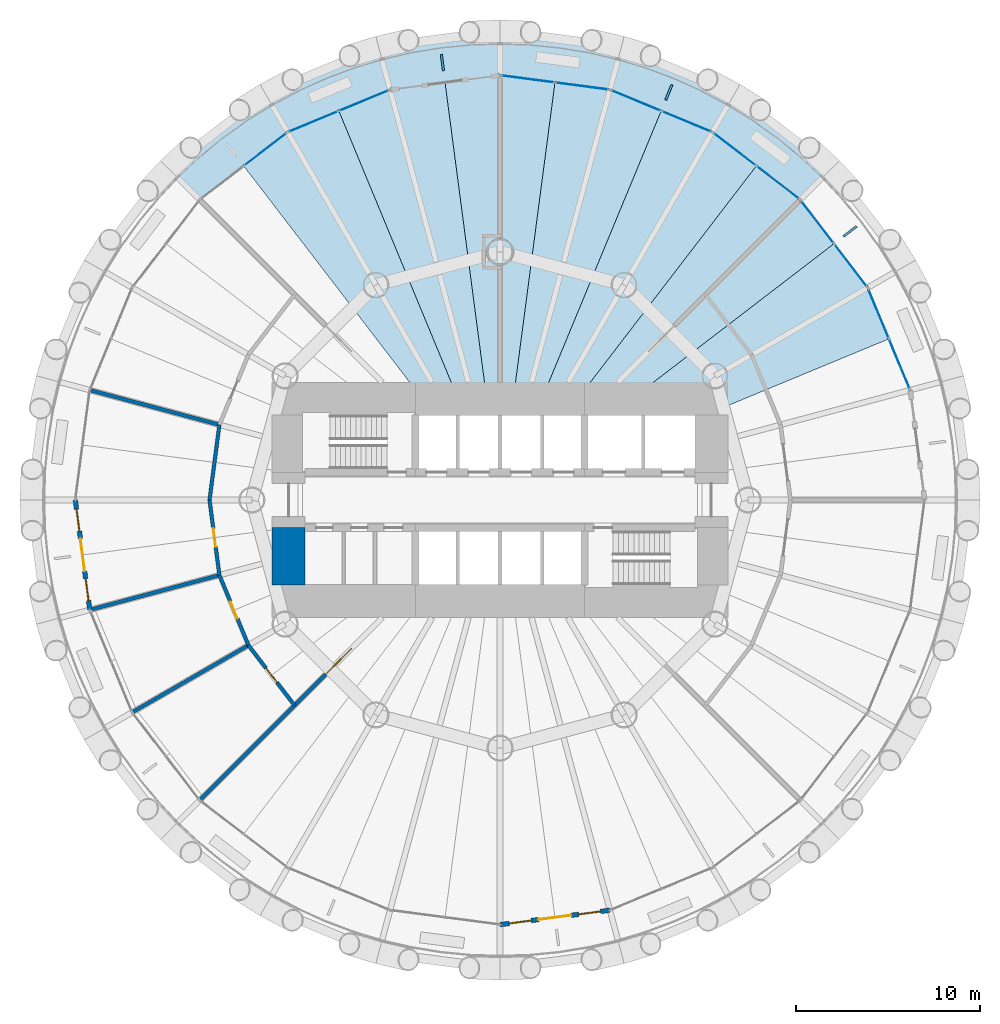
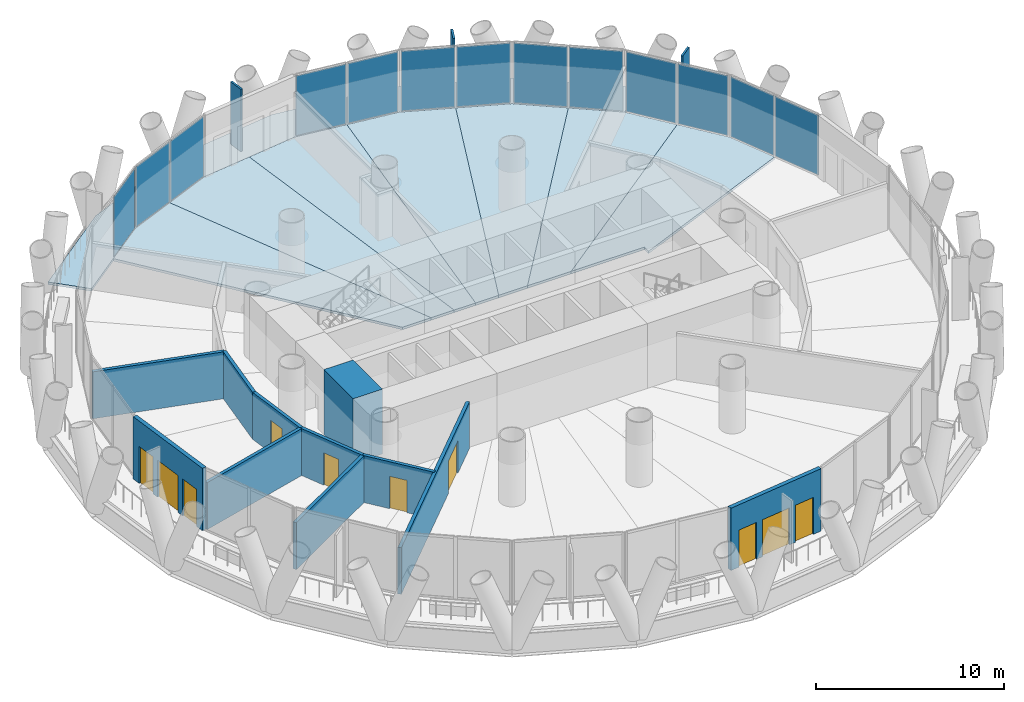
# One storey, part 8 of 14: 16 plates, 11 walls, 8 slabs, 6 doors, 4 windows, 10 openings, 7 elements without a shape of their own.
"""IFC4 building model written with IfcOpenShell, lengths in metres."""

from ifc_helpers import new_model, si_unit, direction, frame, frame_2d, origin, origin_2d, place, context, subcontext, project, spatial, polyline, rectangle, outline, extrude, material, layer, layer_set, type_object, element, fill, aggregate, save


model = new_model("IFC4")

# Units and contexts
model_context = context("Model", 3, precision=1e-05, world=origin(), true_north=direction((0.0, 1.0)))
body_context = subcontext(model_context, "Body", "Model", "MODEL_VIEW")
ifc_project = project(units=[si_unit("LENGTHUNIT", "METRE"), si_unit("AREAUNIT", "SQUARE_METRE"), si_unit("VOLUMEUNIT", "CUBIC_METRE"), si_unit("PLANEANGLEUNIT", "RADIAN"), si_unit("MASSUNIT", "GRAM", prefix="KILO")], contexts=[model_context])

# Site, building, storey
site_placement = place(None, origin())
site = spatial("IfcSite", under=ifc_project, at=site_placement, CompositionType="ELEMENT")
building_placement = place(site_placement, origin())
building = spatial("IfcBuilding", under=site, at=building_placement, Name="Qaws Media Tower", CompositionType="ELEMENT")
storey_placement = place(building_placement, frame((0.0, 0.0, 76.39990234375)))
storey = spatial("IfcBuildingStorey", under=building, at=storey_placement, Name="L16", CompositionType="ELEMENT", Elevation=76.39990234375)

# Slabs
ifc_material_1 = material(Name="Concrete C35/45", Category="concrete")
ifc_layer_1 = layer(ifc_material_1, 0.159912109375)
ifc_layer_set_1 = layer_set([ifc_layer_1], Name="Composite balcony slab 160")
slab_type_1 = type_object("IfcSlabType", Name="Composite balcony slab 160", PredefinedType="FLOOR", material=ifc_layer_set_1)
slab_1_placement = place(storey_placement, frame((0.0, 0.0, -0.159912109375)))
element("IfcSlab", 1, at=slab_1_placement, inside=storey, type_object=slab_type_1, Name="S2 balcony slab L16 R04 to R10, movement joints on R04 and R10", PredefinedType="FLOOR", context=body_context, shape_type="SweptSolid", body=[
    extrude(outline(polyline([(47.25, 72.08349609375), (53.400146484375, 74.631103515625), (60.0, 75.5), (66.599853515625, 74.631103515625), (72.75, 72.08349609375), (78.03125, 68.03125), (76.334228515625, 66.334228515625), (71.550048828125, 70.005126953125), (65.978759765625, 72.31298828125), (60.0, 73.10009765625), (54.021240234375, 72.31298828125), (48.449951171875, 70.005126953125), (43.665771484375, 66.334228515625), (41.96875, 68.03125), (47.25, 72.08349609375)])), origin(), (0.0, 0.0, 1.0), 0.159912109375),
])
ifc_material_2 = material(Name="Concrete C35/45", Category="concrete")
ifc_layer_2 = layer(ifc_material_2, 0.159912109375)
ifc_layer_set_2 = layer_set([ifc_layer_2], Name="Composite floor slab 160")
slab_type_2 = type_object("IfcSlabType", Name="Composite floor slab 160", PredefinedType="FLOOR", material=ifc_layer_set_2)
slab_2_placement = place(storey_placement, frame((0.0, 0.0, -0.159912109375)))
element("IfcSlab", 2, at=slab_2_placement, inside=storey, type_object=slab_type_2, Name="S1 floor panel L16 on R03", PredefinedType="FLOOR", context=body_context, shape_type="SweptSolid", body=[
    extrude(outline(polyline([(80.005126953125, 61.550048828125), (81.158935546875, 58.764404296875), (71.0, 54.556396484375), (71.0, 55.0), (66.51611328125, 55.0), (78.169677734375, 63.942138671875), (80.005126953125, 61.550048828125)])), origin(), (0.0, 0.0, 1.0), 0.159912109375),
])
slab_3_placement = place(storey_placement, frame((0.0, 0.0, -0.159912109375)))
element("IfcSlab", 3, at=slab_3_placement, inside=storey, type_object=slab_type_2, Name="S1 floor panel L16 on R04", PredefinedType="FLOOR", context=body_context, shape_type="SweptSolid", body=[
    extrude(outline(polyline([(76.334228515625, 66.334228515625), (78.169677734375, 63.942138671875), (66.51611328125, 55.0), (63.836669921875, 55.0), (73.942138671875, 68.169677734375), (76.334228515625, 66.334228515625)])), origin(), (0.0, 0.0, 1.0), 0.159912109375),
])
slab_4_placement = place(storey_placement, frame((0.0, 0.0, -0.159912109375)))
element("IfcSlab", 4, at=slab_4_placement, inside=storey, type_object=slab_type_2, Name="S1 floor panel L16 on R05", PredefinedType="FLOOR", context=body_context, shape_type="SweptSolid", body=[
    extrude(outline(polyline([(71.550048828125, 70.005126953125), (73.942138671875, 68.169677734375), (63.836669921875, 55.0), (62.071044921875, 55.0), (68.764404296875, 71.158935546875), (71.550048828125, 70.005126953125)])), origin(), (0.0, 0.0, 1.0), 0.159912109375),
])
slab_5_placement = place(storey_placement, frame((0.0, 0.0, -0.159912109375)))
element("IfcSlab", 5, at=slab_5_placement, inside=storey, type_object=slab_type_2, Name="S1 floor panel L16 on R06", PredefinedType="FLOOR", context=body_context, shape_type="SweptSolid", body=[
    extrude(outline(polyline([(65.978759765625, 72.31298828125), (68.764404296875, 71.158935546875), (62.071044921875, 55.0), (60.658203125, 55.0), (62.989501953125, 72.706298828125), (65.978759765625, 72.31298828125)])), origin(), (0.0, 0.0, 1.0), 0.159912109375),
])
slab_6_placement = place(storey_placement, frame((0.0, 0.0, -0.159912109375)))
element("IfcSlab", 6, at=slab_6_placement, inside=storey, type_object=slab_type_2, Name="S1 floor panel L16 on R07", PredefinedType="FLOOR", context=body_context, shape_type="SweptSolid", body=[
    extrude(outline(polyline([(60.0, 73.10009765625), (62.989501953125, 72.706298828125), (60.658203125, 55.0), (59.341796875, 55.0), (57.010498046875, 72.706298828125), (60.0, 73.10009765625)])), origin(), (0.0, 0.0, 1.0), 0.159912109375),
])
slab_7_placement = place(storey_placement, frame((0.0, 0.0, -0.159912109375)))
element("IfcSlab", 7, at=slab_7_placement, inside=storey, type_object=slab_type_2, Name="S1 floor panel L16 on R08", PredefinedType="FLOOR", context=body_context, shape_type="SweptSolid", body=[
    extrude(outline(polyline([(54.021240234375, 72.31298828125), (57.010498046875, 72.706298828125), (59.341796875, 55.0), (57.928955078125, 55.0), (51.235595703125, 71.158935546875), (54.021240234375, 72.31298828125)])), origin(), (0.0, 0.0, 1.0), 0.159912109375),
])
slab_8_placement = place(storey_placement, frame((0.0, 0.0, -0.159912109375)))
element("IfcSlab", 8, at=slab_8_placement, inside=storey, type_object=slab_type_2, Name="S1 floor panel L16 on R09", PredefinedType="FLOOR", context=body_context, shape_type="SweptSolid", body=[
    extrude(outline(polyline([(48.449951171875, 70.005126953125), (51.235595703125, 71.158935546875), (57.928955078125, 55.0), (56.163330078125, 55.0), (46.057861328125, 68.169677734375), (48.449951171875, 70.005126953125)])), origin(), (0.0, 0.0, 1.0), 0.159912109375),
])

# Curtain wall, plates
ifc_material_3 = material(Name="Aluminium and clear glass", Category="aluminium")
curtain_wall_type = type_object("IfcCurtainWallType", Name="Unitised curtain wall CW-A", PredefinedType="NOTDEFINED", material=ifc_material_3)
curtain_wall_1_placement = place(storey_placement, origin())
curtain_wall_1 = element("IfcCurtainWall", 9, at=curtain_wall_1_placement, inside=storey, type_object=curtain_wall_type, Name="CWA curtain wall L16-02", PredefinedType="NOTDEFINED")
ifc_material_4 = material(Name="Clear laminated double glazing", Category="glass")
ifc_layer_3 = layer(ifc_material_4, 0.031982421875)
ifc_layer_set_3 = layer_set([ifc_layer_3], Name="Curtain wall glass unit 32")
plate_type_1 = type_object("IfcPlateType", Name="Curtain wall glass unit 32", PredefinedType="CURTAIN_PANEL", material=ifc_layer_set_3)
plate_1_placement = place(storey_placement, frame((81.728271484375, 57.39013671875, 0.080078125), z_axis=(0.0, 0.0, 1.0), x_axis=(-0.382683469758, 0.923879517022, 0.0)))
plate_1 = element("IfcPlate", 10, at=plate_1_placement, type_object=plate_type_1, Name="CWA panel 1.1", PredefinedType="CURTAIN_PANEL", context=body_context, shape_type="SweptSolid", body=[
    extrude(rectangle(XDim=2.895263671875, YDim=0.031982421875, at=origin_2d()), origin(), (0.0, 0.0, 1.0), 3.8798828125),
])
plate_2_placement = place(storey_placement, frame((80.58984375, 60.138671875, 0.080078125), z_axis=(0.0, 0.0, 1.0), x_axis=(-0.382683469758, 0.923879517022, 0.0)))
plate_2 = element("IfcPlate", 11, at=plate_2_placement, type_object=plate_type_1, Name="CWA panel 2.1", PredefinedType="CURTAIN_PANEL", context=body_context, shape_type="SweptSolid", body=[
    extrude(rectangle(XDim=2.895263671875, YDim=0.031982421875, at=origin_2d()), origin(), (0.0, 0.0, 1.0), 3.8798828125),
])
aggregate(curtain_wall_1, [plate_1, plate_2])

curtain_wall_2_placement = place(storey_placement, origin())
curtain_wall_2 = element("IfcCurtainWall", 12, at=curtain_wall_2_placement, inside=storey, type_object=curtain_wall_type, Name="CWA curtain wall L16-03", PredefinedType="NOTDEFINED")
plate_3_placement = place(storey_placement, frame((79.0751953125, 62.761962890625, 0.080078125), z_axis=(0.0, 0.0, 1.0), x_axis=(-0.608761381612, 0.79335337666, 0.0)))
plate_3 = element("IfcPlate", 13, at=plate_3_placement, type_object=plate_type_1, Name="CWA panel 1.1", PredefinedType="CURTAIN_PANEL", context=body_context, shape_type="SweptSolid", body=[
    extrude(rectangle(XDim=2.895263671875, YDim=0.031982421875, at=origin_2d()), origin(), (0.0, 0.0, 1.0), 3.8798828125),
])
plate_4_placement = place(storey_placement, frame((77.26416015625, 65.122314453125, 0.080078125), z_axis=(0.0, 0.0, 1.0), x_axis=(-0.608761381612, 0.79335337666, 0.0)))
plate_4 = element("IfcPlate", 14, at=plate_4_placement, type_object=plate_type_1, Name="CWA panel 2.1", PredefinedType="CURTAIN_PANEL", context=body_context, shape_type="SweptSolid", body=[
    extrude(rectangle(XDim=2.895263671875, YDim=0.031982421875, at=origin_2d()), origin(), (0.0, 0.0, 1.0), 3.8798828125),
])
aggregate(curtain_wall_2, [plate_3, plate_4])

curtain_wall_3_placement = place(storey_placement, origin())
curtain_wall_3 = element("IfcCurtainWall", 15, at=curtain_wall_3_placement, inside=storey, type_object=curtain_wall_type, Name="CWA curtain wall L16-04", PredefinedType="NOTDEFINED")
plate_5_placement = place(storey_placement, frame((75.122314453125, 67.26416015625, 0.080078125), z_axis=(0.0, 0.0, 1.0), x_axis=(-0.79335337666, 0.608761381612, 0.0)))
plate_5 = element("IfcPlate", 16, at=plate_5_placement, type_object=plate_type_1, Name="CWA panel 1.1", PredefinedType="CURTAIN_PANEL", context=body_context, shape_type="SweptSolid", body=[
    extrude(rectangle(XDim=2.895263671875, YDim=0.031982421875, at=origin_2d()), origin(), (0.0, 0.0, 1.0), 3.8798828125),
])
plate_6_placement = place(storey_placement, frame((72.761962890625, 69.0751953125, 0.080078125), z_axis=(0.0, 0.0, 1.0), x_axis=(-0.79335337666, 0.608761381612, 0.0)))
plate_6 = element("IfcPlate", 17, at=plate_6_placement, type_object=plate_type_1, Name="CWA panel 2.1", PredefinedType="CURTAIN_PANEL", context=body_context, shape_type="SweptSolid", body=[
    extrude(rectangle(XDim=2.895263671875, YDim=0.031982421875, at=origin_2d()), origin(), (0.0, 0.0, 1.0), 3.8798828125),
])
aggregate(curtain_wall_3, [plate_5, plate_6])

curtain_wall_4_placement = place(storey_placement, origin())
curtain_wall_4 = element("IfcCurtainWall", 18, at=curtain_wall_4_placement, inside=storey, type_object=curtain_wall_type, Name="CWA curtain wall L16-05", PredefinedType="NOTDEFINED")
plate_7_placement = place(storey_placement, frame((70.138671875, 70.58984375, 0.080078125), z_axis=(0.0, 0.0, 1.0), x_axis=(-0.923879517022, 0.382683469758, 0.0)))
plate_7 = element("IfcPlate", 19, at=plate_7_placement, type_object=plate_type_1, Name="CWA panel 1.1", PredefinedType="CURTAIN_PANEL", context=body_context, shape_type="SweptSolid", body=[
    extrude(rectangle(XDim=2.895263671875, YDim=0.031982421875, at=origin_2d()), origin(), (0.0, 0.0, 1.0), 3.8798828125),
])
plate_8_placement = place(storey_placement, frame((67.39013671875, 71.728271484375, 0.080078125), z_axis=(0.0, 0.0, 1.0), x_axis=(-0.923879517022, 0.382683469758, 0.0)))
plate_8 = element("IfcPlate", 20, at=plate_8_placement, type_object=plate_type_1, Name="CWA panel 2.1", PredefinedType="CURTAIN_PANEL", context=body_context, shape_type="SweptSolid", body=[
    extrude(rectangle(XDim=2.895263671875, YDim=0.031982421875, at=origin_2d()), origin(), (0.0, 0.0, 1.0), 3.8798828125),
])
aggregate(curtain_wall_4, [plate_7, plate_8])

curtain_wall_5_placement = place(storey_placement, origin())
curtain_wall_5 = element("IfcCurtainWall", 21, at=curtain_wall_5_placement, inside=storey, type_object=curtain_wall_type, Name="CWA curtain wall L16-06", PredefinedType="NOTDEFINED")
plate_9_placement = place(storey_placement, frame((64.464111328125, 72.51220703125, 0.080078125), z_axis=(0.0, 0.0, 1.0), x_axis=(-0.991444870395, 0.130526123696, 0.0)))
plate_9 = element("IfcPlate", 22, at=plate_9_placement, type_object=plate_type_1, Name="CWA panel 1.1", PredefinedType="CURTAIN_PANEL", context=body_context, shape_type="SweptSolid", body=[
    extrude(rectangle(XDim=2.895263671875, YDim=0.031982421875, at=origin_2d()), origin(), (0.0, 0.0, 1.0), 3.8798828125),
])
plate_10_placement = place(storey_placement, frame((61.514404296875, 72.900634765625, 0.080078125), z_axis=(0.0, 0.0, 1.0), x_axis=(-0.991444870395, 0.130526123696, 0.0)))
plate_10 = element("IfcPlate", 23, at=plate_10_placement, type_object=plate_type_1, Name="CWA panel 2.1", PredefinedType="CURTAIN_PANEL", context=body_context, shape_type="SweptSolid", body=[
    extrude(rectangle(XDim=2.895263671875, YDim=0.031982421875, at=origin_2d()), origin(), (0.0, 0.0, 1.0), 3.8798828125),
])
aggregate(curtain_wall_5, [plate_9, plate_10])

curtain_wall_6_placement = place(storey_placement, origin())
curtain_wall_6 = element("IfcCurtainWall", 24, at=curtain_wall_6_placement, inside=storey, type_object=curtain_wall_type, Name="CWA curtain wall L16-08", PredefinedType="NOTDEFINED")
plate_11_placement = place(storey_placement, frame((52.60986328125, 71.728271484375, 0.080078125), z_axis=(0.0, 0.0, 1.0), x_axis=(-0.923879517022, -0.382683469758, 0.0)))
plate_11 = element("IfcPlate", 25, at=plate_11_placement, type_object=plate_type_1, Name="CWA panel 1.1", PredefinedType="CURTAIN_PANEL", context=body_context, shape_type="SweptSolid", body=[
    extrude(rectangle(XDim=2.895263671875, YDim=0.031982421875, at=origin_2d()), origin(), (0.0, 0.0, 1.0), 3.8798828125),
])
plate_12_placement = place(storey_placement, frame((49.861328125, 70.58984375, 0.080078125), z_axis=(0.0, 0.0, 1.0), x_axis=(-0.923879517022, -0.382683469758, 0.0)))
plate_12 = element("IfcPlate", 26, at=plate_12_placement, type_object=plate_type_1, Name="CWA panel 2.1", PredefinedType="CURTAIN_PANEL", context=body_context, shape_type="SweptSolid", body=[
    extrude(rectangle(XDim=2.895263671875, YDim=0.031982421875, at=origin_2d()), origin(), (0.0, 0.0, 1.0), 3.8798828125),
])
aggregate(curtain_wall_6, [plate_11, plate_12])

# Curtain wall, plate
curtain_wall_7_placement = place(storey_placement, origin())
curtain_wall_7 = element("IfcCurtainWall", 27, at=curtain_wall_7_placement, inside=storey, type_object=curtain_wall_type, Name="CWA curtain wall L16-09", PredefinedType="NOTDEFINED")
plate_13_placement = place(storey_placement, frame((47.238037109375, 69.0751953125, 0.080078125), z_axis=(0.0, 0.0, 1.0), x_axis=(-0.79335337666, -0.608761381612, 0.0)))
plate_13 = element("IfcPlate", 28, at=plate_13_placement, type_object=plate_type_1, Name="CWA panel 1.1", PredefinedType="CURTAIN_PANEL", context=body_context, shape_type="SweptSolid", body=[
    extrude(rectangle(XDim=2.895263671875, YDim=0.031982421875, at=origin_2d()), origin(), (0.0, 0.0, 1.0), 3.8798828125),
])
aggregate(curtain_wall_7, [plate_13])

# Plates
ifc_material_5 = material(Name="Precast concrete screen fin", Category="concrete")
ifc_layer_4 = layer(ifc_material_5, 0.1201171875)
ifc_layer_set_4 = layer_set([ifc_layer_4], Name="Screen fin 120x900")
plate_type_2 = type_object("IfcPlateType", Name="Screen fin 120x900", PredefinedType="USERDEFINED", material=ifc_layer_set_4)
for number, where, z_axis, x_axis, name in (
    (29, (79.04052734375, 64.6103515625, 0.0), (0.0, 0.0, 1.0), (0.793353340291, 0.608761429009, 0.0), "SCR1 screen fin L16-02"),
    (30, (69.184326171875, 72.173095703125, 0.0), (0.0, 0.0, 1.0), (0.382683432365, 0.923879532511, 0.0), "SCR1 screen fin L16-03"),
    (31, (56.867431640625, 73.794677734375, 0.0), (0.0, 0.0, 1.0), (-0.13052619222, 0.991444861374, 0.0), "SCR1 screen fin L16-04"),
):
    element("IfcPlate", number, at=place(storey_placement, frame(where, z_axis=z_axis, x_axis=x_axis)), inside=storey, type_object=plate_type_2, Name=name, ObjectType="SCREEN", PredefinedType="USERDEFINED", context=body_context, shape_type="SweptSolid", body=[
        extrude(rectangle(XDim=0.89990234375, YDim=0.1201171875, at=origin_2d()), origin(), (0.0, 0.0, 1.0), 4.0400390625),
    ])

# Wall, openings, door, windows
ifc_material_6 = material(Name="Precast concrete, exposed finish", Category="concrete")
ifc_layer_5 = layer(ifc_material_6, 0.25)
ifc_layer_set_5 = layer_set([ifc_layer_5], Name="Balcony door wall 250")
wall_type_1 = type_object("IfcWallType", Name="Balcony door wall 250", PredefinedType="SOLIDWALL", material=ifc_layer_set_5)
wall_1_placement = place(storey_placement, frame((36.89990234375, 50.0, 0.0), z_axis=(0.0, 0.0, 1.0), x_axis=(0.130524679454, -0.991445060532, 0.0)))
wall_1 = element("IfcWall", 32, at=wall_1_placement, inside=storey, type_object=wall_type_1, Name="W153 EW1 balcony door wall L16-13", PredefinedType="SOLIDWALL", context=body_context, shape_type="SweptSolid", body=[
    extrude(rectangle(XDim=6.0302734375, YDim=0.25, at=frame_2d((3.01513671875, 0.0))), origin(), (0.0, 0.0, 1.0), 4.0400390625),
])
opening_1_placement = place(wall_1_placement, frame((2.115234375, 0.0, 0.0)))
opening_1 = element("IfcOpeningElement", 33, at=opening_1_placement, cuts=wall_1, Name="Opening D7", PredefinedType="OPENING", context=body_context, shape_type="SweptSolid", body=[
    extrude(rectangle(XDim=1.800048828125, YDim=2.39990234375, at=frame_2d((0.89990234375, 1.199951171875))), frame((0.0, 0.135009765625, 0.0), z_axis=(0.0, -1.0, 0.0), x_axis=(1.0, 0.0, 0.0)), (0.0, 0.0, 1.0), 0.27001953125),
])
opening_2_placement = place(wall_1_placement, frame((0.51513671875, 0.0, 0.0)))
opening_2 = element("IfcOpeningElement", 34, at=opening_2_placement, cuts=wall_1, Name="Opening W1", PredefinedType="OPENING", context=body_context, shape_type="SweptSolid", body=[
    extrude(rectangle(XDim=1.199951171875, YDim=2.39990234375, at=frame_2d((0.60009765625, 1.199951171875))), frame((0.0, 0.135009765625, 0.0), z_axis=(0.0, -1.0, 0.0), x_axis=(1.0, 0.0, 0.0)), (0.0, 0.0, 1.0), 0.27001953125),
])
opening_3_placement = place(wall_1_placement, frame((4.315185546875, 0.0, 0.0)))
opening_3 = element("IfcOpeningElement", 35, at=opening_3_placement, cuts=wall_1, Name="Opening W1", PredefinedType="OPENING", context=body_context, shape_type="SweptSolid", body=[
    extrude(rectangle(XDim=1.199951171875, YDim=2.39990234375, at=frame_2d((0.60009765625, 1.199951171875))), frame((0.0, 0.135009765625, 0.0), z_axis=(0.0, -1.0, 0.0), x_axis=(1.0, 0.0, 0.0)), (0.0, 0.0, 1.0), 0.27001953125),
])
ifc_material_7 = material(Name="Aluminium and clear glass", Category="aluminium")
door_type_1 = type_object("IfcDoorType", Name="Balcony door pair 1800", OperationType="DOUBLE_DOOR_SLIDING", PredefinedType="DOOR", material=ifc_material_7)
door_1_placement = place(opening_1_placement, origin())
door_1 = element("IfcDoor", 36, at=door_1_placement, inside=storey, type_object=door_type_1, Name="D7 balcony door L16-13 in wall W153", OperationType="DOUBLE_DOOR_SLIDING", OverallHeight=2.39990234375, OverallWidth=1.800048828125, PredefinedType="DOOR", context=body_context, shape_type="SweptSolid", body=[
    extrude(rectangle(XDim=1.800048828125, YDim=2.39990234375, at=frame_2d((0.89990234375, 1.199951171875))), frame((0.0, 0.02490234375, 0.0), z_axis=(0.0, -1.0, 0.0), x_axis=(1.0, 0.0, 0.0)), (0.0, 0.0, 1.0), 0.050048828125),
])
fill(opening_1, door_1)
ifc_material_8 = material(Name="Aluminium and clear glass", Category="aluminium")
window_type = type_object("IfcWindowType", Name="Balcony side window 1200", PartitioningType="SINGLE_PANEL", PredefinedType="WINDOW", material=ifc_material_8)
window_1_placement = place(opening_2_placement, origin())
window_1 = element("IfcWindow", 37, at=window_1_placement, inside=storey, type_object=window_type, Name="W1 balcony side light L16-13L", OverallHeight=2.39990234375, OverallWidth=1.199951171875, PartitioningType="SINGLE_PANEL", PredefinedType="WINDOW", context=body_context, shape_type="SweptSolid", body=[
    extrude(rectangle(XDim=1.199951171875, YDim=2.39990234375, at=frame_2d((0.60009765625, 1.199951171875))), frame((0.0, 0.030029296875, 0.0), z_axis=(0.0, -1.0, 0.0), x_axis=(1.0, 0.0, 0.0)), (0.0, 0.0, 1.0), 0.06005859375),
])
fill(opening_2, window_1)
window_2_placement = place(opening_3_placement, origin())
window_2 = element("IfcWindow", 38, at=window_2_placement, inside=storey, type_object=window_type, Name="W1 balcony side light L16-13R", OverallHeight=2.39990234375, OverallWidth=1.199951171875, PartitioningType="SINGLE_PANEL", PredefinedType="WINDOW", context=body_context, shape_type="SweptSolid", body=[
    extrude(rectangle(XDim=1.199951171875, YDim=2.39990234375, at=frame_2d((0.60009765625, 1.199951171875))), frame((0.0, 0.030029296875, 0.0), z_axis=(0.0, -1.0, 0.0), x_axis=(1.0, 0.0, 0.0)), (0.0, 0.0, 1.0), 0.06005859375),
])
fill(opening_3, window_2)

wall_2_placement = place(storey_placement, frame((60.0, 26.89990234375, 0.0), z_axis=(0.0, 0.0, 1.0), x_axis=(0.991445060532, 0.130524679454, 0.0)))
wall_2 = element("IfcWall", 39, at=wall_2_placement, inside=storey, type_object=wall_type_1, Name="W154 EW1 balcony door wall L16-19", PredefinedType="SOLIDWALL", context=body_context, shape_type="SweptSolid", body=[
    extrude(rectangle(XDim=6.0302734375, YDim=0.25, at=frame_2d((3.01513671875, 0.0))), origin(), (0.0, 0.0, 1.0), 4.0400390625),
])
opening_4_placement = place(wall_2_placement, frame((2.115234375, 0.0, 0.0)))
opening_4 = element("IfcOpeningElement", 40, at=opening_4_placement, cuts=wall_2, Name="Opening D7", PredefinedType="OPENING", context=body_context, shape_type="SweptSolid", body=[
    extrude(rectangle(XDim=1.800048828125, YDim=2.39990234375, at=frame_2d((0.89990234375, 1.199951171875))), frame((0.0, 0.135009765625, 0.0), z_axis=(0.0, -1.0, 0.0), x_axis=(1.0, 0.0, 0.0)), (0.0, 0.0, 1.0), 0.27001953125),
])
opening_5_placement = place(wall_2_placement, frame((0.51513671875, 0.0, 0.0)))
opening_5 = element("IfcOpeningElement", 41, at=opening_5_placement, cuts=wall_2, Name="Opening W1", PredefinedType="OPENING", context=body_context, shape_type="SweptSolid", body=[
    extrude(rectangle(XDim=1.199951171875, YDim=2.39990234375, at=frame_2d((0.60009765625, 1.199951171875))), frame((0.0, 0.135009765625, 0.0), z_axis=(0.0, -1.0, 0.0), x_axis=(1.0, 0.0, 0.0)), (0.0, 0.0, 1.0), 0.27001953125),
])
opening_6_placement = place(wall_2_placement, frame((4.315185546875, 0.0, 0.0)))
opening_6 = element("IfcOpeningElement", 42, at=opening_6_placement, cuts=wall_2, Name="Opening W1", PredefinedType="OPENING", context=body_context, shape_type="SweptSolid", body=[
    extrude(rectangle(XDim=1.199951171875, YDim=2.39990234375, at=frame_2d((0.60009765625, 1.199951171875))), frame((0.0, 0.135009765625, 0.0), z_axis=(0.0, -1.0, 0.0), x_axis=(1.0, 0.0, 0.0)), (0.0, 0.0, 1.0), 0.27001953125),
])
door_2_placement = place(opening_4_placement, origin())
door_2 = element("IfcDoor", 43, at=door_2_placement, inside=storey, type_object=door_type_1, Name="D7 balcony door L16-19 in wall W154", OperationType="DOUBLE_DOOR_SLIDING", OverallHeight=2.39990234375, OverallWidth=1.800048828125, PredefinedType="DOOR", context=body_context, shape_type="SweptSolid", body=[
    extrude(rectangle(XDim=1.800048828125, YDim=2.39990234375, at=frame_2d((0.89990234375, 1.199951171875))), frame((0.0, 0.02490234375, 0.0), z_axis=(0.0, -1.0, 0.0), x_axis=(1.0, 0.0, 0.0)), (0.0, 0.0, 1.0), 0.050048828125),
])
fill(opening_4, door_2)
window_3_placement = place(opening_5_placement, origin())
window_3 = element("IfcWindow", 44, at=window_3_placement, inside=storey, type_object=window_type, Name="W1 balcony side light L16-19L", OverallHeight=2.39990234375, OverallWidth=1.199951171875, PartitioningType="SINGLE_PANEL", PredefinedType="WINDOW", context=body_context, shape_type="SweptSolid", body=[
    extrude(rectangle(XDim=1.199951171875, YDim=2.39990234375, at=frame_2d((0.60009765625, 1.199951171875))), frame((0.0, 0.030029296875, 0.0), z_axis=(0.0, -1.0, 0.0), x_axis=(1.0, 0.0, 0.0)), (0.0, 0.0, 1.0), 0.06005859375),
])
fill(opening_5, window_3)
window_4_placement = place(opening_6_placement, origin())
window_4 = element("IfcWindow", 45, at=window_4_placement, inside=storey, type_object=window_type, Name="W1 balcony side light L16-19R", OverallHeight=2.39990234375, OverallWidth=1.199951171875, PartitioningType="SINGLE_PANEL", PredefinedType="WINDOW", context=body_context, shape_type="SweptSolid", body=[
    extrude(rectangle(XDim=1.199951171875, YDim=2.39990234375, at=frame_2d((0.60009765625, 1.199951171875))), frame((0.0, 0.030029296875, 0.0), z_axis=(0.0, -1.0, 0.0), x_axis=(1.0, 0.0, 0.0)), (0.0, 0.0, 1.0), 0.06005859375),
])
fill(opening_6, window_4)

# Wall
ifc_material_9 = material(Name="Concrete C60/75", Category="concrete")
ifc_layer_6 = layer(ifc_material_9, 1.800048828125)
ifc_layer_set_6 = layer_set([ifc_layer_6], Name="Core wall 1800")
wall_type_2 = type_object("IfcWallType", Name="Core wall 1800", PredefinedType="SHEAR", material=ifc_layer_set_6)
wall_3_placement = place(storey_placement, frame((48.5, 45.3798828125, 0.0), z_axis=(0.0, 0.0, 1.0), x_axis=(0.0, 1.0, 0.0)))
element("IfcWall", 46, at=wall_3_placement, inside=storey, type_object=wall_type_2, Name="W400 SW11 core wall WS L16", PredefinedType="SHEAR", context=body_context, shape_type="SweptSolid", body=[
    extrude(rectangle(XDim=3.1201171875, YDim=1.800048828125, at=frame_2d((1.56005859375, 0.0))), origin(), (0.0, 0.0, 1.0), 4.2001953125),
])

# Wall, opening, door
ifc_material_10 = material(Name="Gypsum board on galvanised metal studs, acoustic double stud, deflection head", Category="gypsum")
ifc_layer_7 = layer(ifc_material_10, 0.199951171875)
ifc_layer_set_7 = layer_set([ifc_layer_7], Name="Room partition 200")
wall_type_3 = type_object("IfcWallType", Name="Room partition 200", PredefinedType="PARTITIONING", material=ifc_layer_set_7)
wall_4_placement = place(storey_placement, frame((48.82763671875, 38.82763671875, 0.0), z_axis=(0.0, 0.0, 1.0), x_axis=(-0.608714823874, 0.793389099494, 0.0)))
wall_4 = element("IfcWall", 47, at=wall_4_placement, inside=storey, type_object=wall_type_3, Name="W948 IW3 partition L16", PredefinedType="PARTITIONING", context=body_context, shape_type="SweptSolid", body=[
    extrude(rectangle(XDim=4.124755859375, YDim=0.199951171875, at=frame_2d((2.0625, 0.0))), origin(), (0.0, 0.0, 1.0), 3.0400390625),
])
opening_7_placement = place(wall_4_placement, frame((1.562255859375, 0.0, 0.0)))
opening_7 = element("IfcOpeningElement", 48, at=opening_7_placement, cuts=wall_4, Name="Opening D5", PredefinedType="OPENING", context=body_context, shape_type="SweptSolid", body=[
    extrude(rectangle(XDim=1.0, YDim=2.10009765625, at=frame_2d((0.5, 1.050048828125))), frame((0.0, 0.10986328125, 0.0), z_axis=(0.0, -1.0, 0.0), x_axis=(1.0, 0.0, 0.0)), (0.0, 0.0, 1.0), 0.219970703125),
])
ifc_material_11 = material(Name="Timber veneered, acoustic seal", Category="wood")
door_type_2 = type_object("IfcDoorType", Name="Room door 1000", OperationType="SINGLE_SWING_LEFT", PredefinedType="DOOR", material=ifc_material_11)
door_3_placement = place(opening_7_placement, origin())
door_3 = element("IfcDoor", 49, at=door_3_placement, inside=storey, type_object=door_type_2, Name="D5 Ladies toilets door L16 in wall W948", OperationType="SINGLE_SWING_LEFT", OverallHeight=2.10009765625, OverallWidth=1.0, PredefinedType="DOOR", context=body_context, shape_type="SweptSolid", body=[
    extrude(rectangle(XDim=1.0, YDim=2.10009765625, at=frame_2d((0.5, 1.050048828125))), frame((0.0, 0.02490234375, 0.0), z_axis=(0.0, -1.0, 0.0), x_axis=(1.0, 0.0, 0.0)), (0.0, 0.0, 1.0), 0.050048828125),
])
fill(opening_7, door_3)

wall_5_placement = place(storey_placement, frame((46.31689453125, 42.10009765625, 0.0), z_axis=(0.0, 0.0, 1.0), x_axis=(-0.382731667114, 0.923859551549, 0.0)))
wall_5 = element("IfcWall", 50, at=wall_5_placement, inside=storey, type_object=wall_type_3, Name="W946 IW3 partition L16", PredefinedType="PARTITIONING", context=body_context, shape_type="SweptSolid", body=[
    extrude(rectangle(XDim=4.12451171875, YDim=0.199951171875, at=frame_2d((2.062255859375, 0.0))), origin(), (0.0, 0.0, 1.0), 3.0400390625),
])
opening_8_placement = place(wall_5_placement, frame((1.562255859375, 0.0, 0.0)))
opening_8 = element("IfcOpeningElement", 51, at=opening_8_placement, cuts=wall_5, Name="Opening D5", PredefinedType="OPENING", context=body_context, shape_type="SweptSolid", body=[
    extrude(rectangle(XDim=1.0, YDim=2.10009765625, at=frame_2d((0.5, 1.050048828125))), frame((0.0, 0.10986328125, 0.0), z_axis=(0.0, -1.0, 0.0), x_axis=(1.0, 0.0, 0.0)), (0.0, 0.0, 1.0), 0.219970703125),
])
door_4_placement = place(opening_8_placement, origin())
door_4 = element("IfcDoor", 52, at=door_4_placement, inside=storey, type_object=door_type_2, Name="D5 Gents toilets door L16 in wall W946", OperationType="SINGLE_SWING_LEFT", OverallHeight=2.10009765625, OverallWidth=1.0, PredefinedType="DOOR", context=body_context, shape_type="SweptSolid", body=[
    extrude(rectangle(XDim=1.0, YDim=2.10009765625, at=frame_2d((0.5, 1.050048828125))), frame((0.0, 0.02490234375, 0.0), z_axis=(0.0, -1.0, 0.0), x_axis=(1.0, 0.0, 0.0)), (0.0, 0.0, 1.0), 0.050048828125),
])
fill(opening_8, door_4)

wall_6_placement = place(storey_placement, frame((44.73828125, 45.91064453125, 0.0), z_axis=(0.0, 0.0, 1.0), x_axis=(-0.130515758099, 0.991446234996, 0.0)))
wall_6 = element("IfcWall", 53, at=wall_6_placement, inside=storey, type_object=wall_type_3, Name="W943 IW3 partition L16", PredefinedType="PARTITIONING", context=body_context, shape_type="SweptSolid", body=[
    extrude(rectangle(XDim=4.124755859375, YDim=0.199951171875, at=frame_2d((2.0625, 0.0))), origin(), (0.0, 0.0, 1.0), 3.0400390625),
])
opening_9_placement = place(wall_6_placement, frame((1.562255859375, 0.0, 0.0)))
opening_9 = element("IfcOpeningElement", 54, at=opening_9_placement, cuts=wall_6, Name="Opening D5", PredefinedType="OPENING", context=body_context, shape_type="SweptSolid", body=[
    extrude(rectangle(XDim=1.0, YDim=2.10009765625, at=frame_2d((0.5, 1.050048828125))), frame((0.0, 0.10986328125, 0.0), z_axis=(0.0, -1.0, 0.0), x_axis=(1.0, 0.0, 0.0)), (0.0, 0.0, 1.0), 0.219970703125),
])
door_5_placement = place(opening_9_placement, origin())
door_5 = element("IfcDoor", 55, at=door_5_placement, inside=storey, type_object=door_type_2, Name="D5 Graphics studio door L16 in wall W943", OperationType="SINGLE_SWING_LEFT", OverallHeight=2.10009765625, OverallWidth=1.0, PredefinedType="DOOR", context=body_context, shape_type="SweptSolid", body=[
    extrude(rectangle(XDim=1.0, YDim=2.10009765625, at=frame_2d((0.5, 1.050048828125))), frame((0.0, 0.02490234375, 0.0), z_axis=(0.0, -1.0, 0.0), x_axis=(1.0, 0.0, 0.0)), (0.0, 0.0, 1.0), 0.050048828125),
])
fill(opening_9, door_5)

# Walls
wall_7_placement = place(storey_placement, frame((44.199951171875, 50.0, 0.0), z_axis=(0.0, 0.0, 1.0), x_axis=(0.130515758099, 0.991446234996, 0.0)))
element("IfcWall", 56, at=wall_7_placement, inside=storey, type_object=wall_type_3, Name="W941 IW3 partition L16", PredefinedType="PARTITIONING", context=body_context, shape_type="SweptSolid", body=[
    extrude(rectangle(XDim=4.124755859375, YDim=0.199951171875, at=frame_2d((2.0625, 0.0))), origin(), (0.0, 0.0, 1.0), 3.0400390625),
])
wall_8_placement = place(storey_placement, frame((44.73828125, 54.08935546875, 0.0), z_axis=(0.0, 0.0, 1.0), x_axis=(-0.965922233104, 0.258832454679, 0.0)))
element("IfcWall", 57, at=wall_8_placement, inside=storey, type_object=wall_type_3, Name="W1090 IW3 partition L16", PredefinedType="PARTITIONING", context=body_context, shape_type="SweptSolid", body=[
    extrude(rectangle(XDim=7.260009765625, YDim=0.199951171875, at=frame_2d((3.6298828125, 0.0))), origin(), (0.0, 0.0, 1.0), 3.0400390625),
])
wall_9_placement = place(storey_placement, frame((44.73828125, 45.91064453125, 0.0), z_axis=(0.0, 0.0, 1.0), x_axis=(-0.965929787715, -0.258804260405, 0.0)))
element("IfcWall", 58, at=wall_9_placement, inside=storey, type_object=wall_type_3, Name="W1089 IW3 partition L16", PredefinedType="PARTITIONING", context=body_context, shape_type="SweptSolid", body=[
    extrude(rectangle(XDim=7.159912109375, YDim=0.199951171875, at=frame_2d((3.580078125, 0.0))), origin(), (0.0, 0.0, 1.0), 3.0400390625),
])
wall_10_placement = place(storey_placement, frame((46.31689453125, 42.10009765625, 0.0), z_axis=(0.0, 0.0, 1.0), x_axis=(-0.866018144635, -0.500012573004, 0.0)))
element("IfcWall", 59, at=wall_10_placement, inside=storey, type_object=wall_type_3, Name="W1091 IW3 partition L16", PredefinedType="PARTITIONING", context=body_context, shape_type="SweptSolid", body=[
    extrude(rectangle(XDim=7.260009765625, YDim=0.199951171875, at=frame_2d((3.6298828125, 0.0))), origin(), (0.0, 0.0, 1.0), 3.0400390625),
])

# Wall, opening, door
wall_11_placement = place(storey_placement, frame((53.60009765625, 43.60009765625, 0.0), z_axis=(0.0, 0.0, 1.0), x_axis=(-0.707106781187, -0.707106781187, 0.0)))
wall_11 = element("IfcWall", 60, at=wall_11_placement, inside=storey, type_object=wall_type_3, Name="W1092 IW3 partition L16", PredefinedType="PARTITIONING", context=body_context, shape_type="SweptSolid", body=[
    extrude(rectangle(XDim=14.00927734375, YDim=0.199951171875, at=frame_2d((7.004638671875, 0.0))), origin(), (0.0, 0.0, 1.0), 3.02001953125),
])
opening_10_placement = place(wall_11_placement, frame((2.37451171875, 0.0, 0.0)))
opening_10 = element("IfcOpeningElement", 61, at=opening_10_placement, cuts=wall_11, Name="Opening D6", PredefinedType="OPENING", context=body_context, shape_type="SweptSolid", body=[
    extrude(rectangle(XDim=2.0, YDim=2.10009765625, at=frame_2d((1.0, 1.050048828125))), frame((0.0, 0.10986328125, 0.0), z_axis=(0.0, -1.0, 0.0), x_axis=(1.0, 0.0, 0.0)), (0.0, 0.0, 1.0), 0.219970703125),
])
ifc_material_12 = material(Name="Steel, acoustic, fire rated", Category="steel")
door_type_3 = type_object("IfcDoorType", Name="Room door pair 2000", OperationType="DOUBLE_DOOR_DOUBLE_SWING", PredefinedType="DOOR", material=ifc_material_12)
door_6_placement = place(opening_10_placement, origin())
door_6 = element("IfcDoor", 62, at=door_6_placement, inside=storey, type_object=door_type_3, Name="D6 Graphics workroom door L16 in wall W1092", OperationType="DOUBLE_DOOR_DOUBLE_SWING", OverallHeight=2.10009765625, OverallWidth=2.0, PredefinedType="DOOR", context=body_context, shape_type="SweptSolid", body=[
    extrude(rectangle(XDim=2.0, YDim=2.10009765625, at=frame_2d((1.0, 1.050048828125))), frame((0.0, 0.02490234375, 0.0), z_axis=(0.0, -1.0, 0.0), x_axis=(1.0, 0.0, 0.0)), (0.0, 0.0, 1.0), 0.050048828125),
])
fill(opening_10, door_6)

save(model, "model.ifc")
